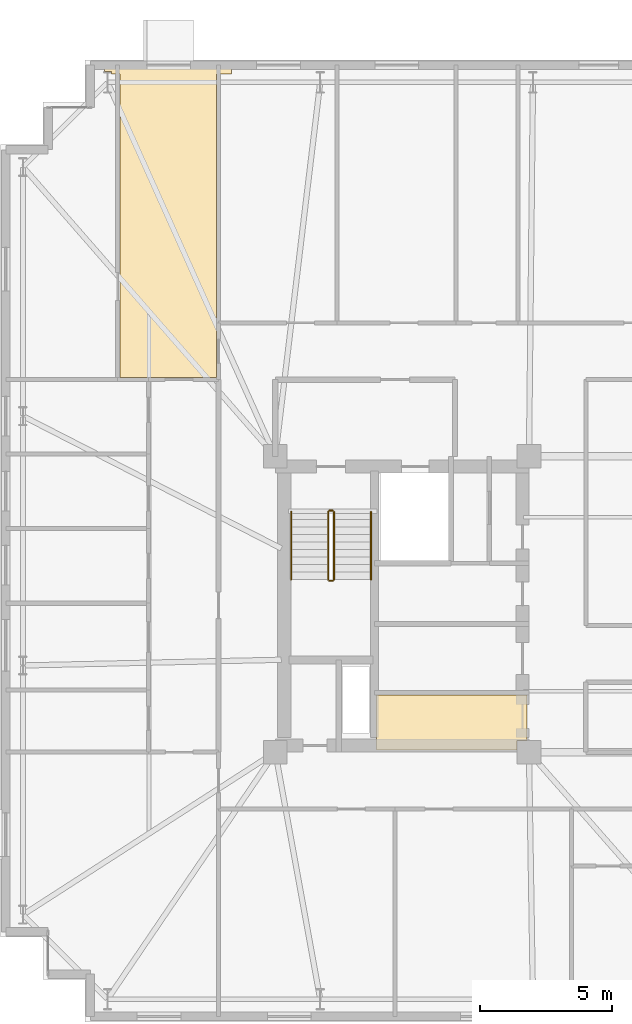
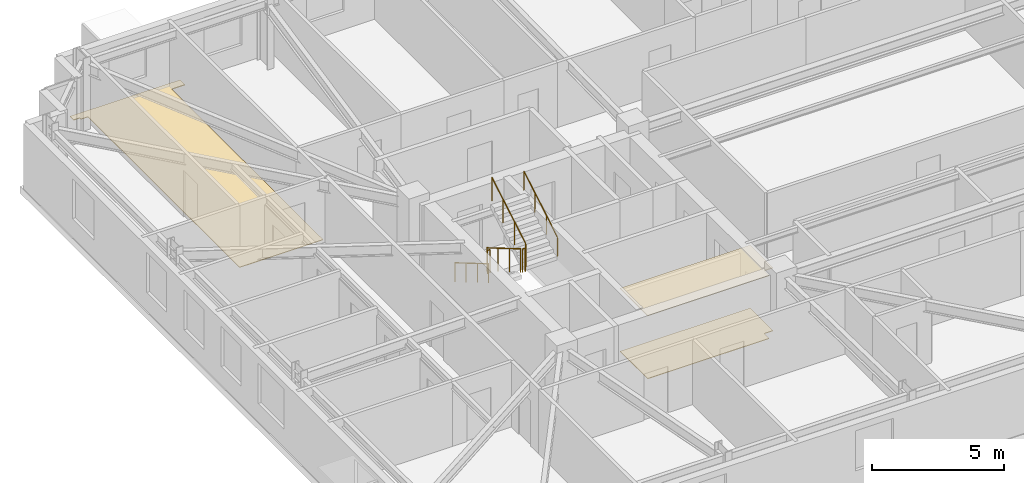
# One storey, part 16 of 17: 6 railings, 3 coverings.
"""IFC4 building model written with IfcOpenShell, lengths in metres."""

from ifc_helpers import new_model, si_unit, direction, frame, origin, origin_2d, place, context, subcontext, project, spatial, polyline, circle, outline, extrude, material, layer, layer_set, type_object, element, save


model = new_model("IFC4")

# Units and contexts
model_context = context("Model", 3, precision=1e-05, world=origin(), true_north=direction((0.0, 1.0)))
body_context = subcontext(model_context, "Body", "Model", "MODEL_VIEW")
ifc_project = project(units=[si_unit("LENGTHUNIT", "METRE"), si_unit("AREAUNIT", "SQUARE_METRE"), si_unit("VOLUMEUNIT", "CUBIC_METRE"), si_unit("PLANEANGLEUNIT", "RADIAN"), si_unit("MASSUNIT", "GRAM", prefix="KILO")], contexts=[model_context])

# Site, building, storey
site_placement = place(None, origin())
site = spatial("IfcSite", under=ifc_project, at=site_placement, CompositionType="ELEMENT")
building_placement = place(site_placement, origin())
building = spatial("IfcBuilding", under=site, at=building_placement, Name="Qobustan Lattice House", CompositionType="ELEMENT")
storey_placement = place(building_placement, frame((0.0, 0.0, 171.199951171875)))
storey = spatial("IfcBuildingStorey", under=building, at=storey_placement, Name="L48", CompositionType="ELEMENT", Elevation=171.199951171875)

# Coverings
ifc_material_1 = material(Name="Perforated gypsum acoustic ceiling", Category="gypsum")
ifc_layer_1 = layer(ifc_material_1, 0.030029296875)
ifc_layer_set_1 = layer_set([ifc_layer_1], Name="Perforated gypsum acoustic ceiling")
covering_type_1 = type_object("IfcCoveringType", Name="COV-ACOUSTIC-CEIL", PredefinedType="CEILING", material=ifc_layer_set_1)
covering_1_placement = place(storey_placement, frame((0.0, 0.0, 2.91015625)))
element("IfcCovering", 1, at=covering_1_placement, inside=storey, type_object=covering_type_1, Name="L48 Collaborative study lounge acoustic ceiling", PredefinedType="CEILING", context=body_context, shape_type="SweptSolid", body=[
    extrude(outline(polyline([(-14.969970703125, -3.429931640625), (-14.969970703125, -5.52001953125), (-9.652099609375, -5.52001953125), (-9.652099609375, -5.14794921875), (-9.280029296875, -5.14794921875), (-9.280029296875, -3.429931640625), (-14.969970703125, -3.429931640625)])), origin(), (0.0, 0.0, 1.0), 0.02978515625),
])
ifc_material_2 = material(Name="Honed Absheron stone terrazzo flooring", Category="masonry")
ifc_layer_2 = layer(ifc_material_2, 0.02490234375)
ifc_layer_set_2 = layer_set([ifc_layer_2], Name="Honed Absheron stone terrazzo flooring")
covering_type_2 = type_object("IfcCoveringType", Name="COV-TERRAZZO-FLR", PredefinedType="FLOORING", material=ifc_layer_set_2)
covering_2_placement = place(storey_placement, origin())
element("IfcCovering", 2, at=covering_2_placement, inside=storey, type_object=covering_type_2, Name="L48 Collaborative study lounge stone terrazzo flooring", PredefinedType="FLOORING", context=body_context, shape_type="SweptSolid", body=[
    extrude(outline(polyline([(-14.969970703125, -3.429931640625), (-14.969970703125, -5.52001953125), (-9.652099609375, -5.52001953125), (-9.652099609375, -5.14794921875), (-9.280029296875, -5.14794921875), (-9.280029296875, -3.429931640625), (-14.969970703125, -3.429931640625)])), origin(), (0.0, 0.0, 1.0), 0.025146484375),
])
covering_3_placement = place(storey_placement, origin())
element("IfcCovering", 3, at=covering_3_placement, inside=storey, type_object=covering_type_2, Name="L48 Reading seminar room L48WN stone terrazzo flooring", PredefinedType="FLOORING", context=body_context, shape_type="SweptSolid", body=[
    extrude(outline(polyline([(-25.264892578125, 20.429931640625), (-25.264892578125, 20.152099609375), (-24.998046875, 20.152099609375), (-24.998046875, 20.06005859375), (-24.68505859375, 20.06005859375), (-24.68505859375, 8.580078125), (-21.030029296875, 8.580078125), (-21.030029296875, 20.06005859375), (-20.449951171875, 20.06005859375), (-20.449951171875, 20.429931640625), (-25.264892578125, 20.429931640625)])), origin(), (0.0, 0.0, 1.0), 0.025146484375),
])

# Railings
ifc_material_3 = material(Name="Brushed stainless steel handrail", Category="steel")
railing_type_1 = type_object("IfcRailingType", Name="RAL-HR-920", PredefinedType="HANDRAIL", material=ifc_material_3)
railing_1_placement = place(storey_placement, frame((-18.199951171875, 3.5, 0.16748046875)))
element("IfcRailing", 4, at=railing_1_placement, inside=storey, type_object=railing_type_1, Name="L48 ST-W1 stair handrail 1", PredefinedType="HANDRAIL", context=body_context, shape_type="SweptSolid", body=[
    extrude(circle(Radius=0.02392578125, at=origin_2d()), frame((0.0, 0.0, 0.8759765625), z_axis=(0.0, -0.862113467892, 0.50671527358), x_axis=(1.0, 0.0, 0.0)), (0.0, 0.0, 1.0), 2.97509765625),
    extrude(circle(Radius=0.02099609375, at=origin_2d()), origin(), (0.0, 0.0, 1.0), 0.851806640625),
    extrude(circle(Radius=0.02099609375, at=origin_2d()), frame((0.0, -0.85498046875, 0.50244140625)), (0.0, 0.0, 1.0), 0.851806640625),
    extrude(circle(Radius=0.02099609375, at=origin_2d()), frame((0.0, -1.7099609375, 1.005126953125)), (0.0, 0.0, 1.0), 0.851806640625),
    extrude(circle(Radius=0.02099609375, at=origin_2d()), frame((0.0, -2.56494140625, 1.507568359375)), (0.0, 0.0, 1.0), 0.851806640625),
])
railing_2_placement = place(storey_placement, frame((-15.179931640625, 0.93505859375, 1.842529296875)))
element("IfcRailing", 5, at=railing_2_placement, inside=storey, type_object=railing_type_1, Name="L48 ST-W1 stair handrail 2", PredefinedType="HANDRAIL", context=body_context, shape_type="SweptSolid", body=[
    extrude(circle(Radius=0.02392578125, at=origin_2d()), frame((0.0, 0.0, 0.8759765625), z_axis=(0.0, 0.862113467892, 0.50671527358), x_axis=(-1.0, 0.0, 0.0)), (0.0, 0.0, 1.0), 2.97509765625),
    extrude(circle(Radius=0.02099609375, at=origin_2d()), origin(), (0.0, 0.0, 1.0), 0.851806640625),
    extrude(circle(Radius=0.02099609375, at=origin_2d()), frame((0.0, 0.85498046875, 0.50244140625)), (0.0, 0.0, 1.0), 0.851806640625),
    extrude(circle(Radius=0.02099609375, at=origin_2d()), frame((0.0, 1.7099609375, 1.005126953125)), (0.0, 0.0, 1.0), 0.851806640625),
    extrude(circle(Radius=0.02099609375, at=origin_2d()), frame((0.0, 2.56494140625, 1.507568359375)), (0.0, 0.0, 1.0), 0.851806640625),
])
ifc_material_4 = material(Name="Painted galvanized steel guardrail", Category="steel")
railing_type_2 = type_object("IfcRailingType", Name="RAL-STG-1150", PredefinedType="GUARDRAIL", material=ifc_material_4)
railing_3_placement = place(storey_placement, frame((-16.800048828125, 3.5, 0.16748046875)))
element("IfcRailing", 6, at=railing_3_placement, inside=storey, type_object=railing_type_2, Name="L48 ST-W1 stair guard 1", PredefinedType="GUARDRAIL", context=body_context, shape_type="SweptSolid", body=[
    extrude(circle(Radius=0.02392578125, at=origin_2d()), frame((0.0, 0.0, 1.076171875), z_axis=(0.0, -0.862113467892, 0.50671527358), x_axis=(1.0, 0.0, 0.0)), (0.0, 0.0, 1.0), 2.97509765625),
    extrude(circle(Radius=0.02099609375, at=origin_2d()), origin(), (0.0, 0.0, 1.0), 1.052001953125),
    extrude(circle(Radius=0.02099609375, at=origin_2d()), frame((0.0, -0.85498046875, 0.50244140625)), (0.0, 0.0, 1.0), 1.052001953125),
    extrude(circle(Radius=0.02099609375, at=origin_2d()), frame((0.0, -1.7099609375, 1.005126953125)), (0.0, 0.0, 1.0), 1.052001953125),
    extrude(circle(Radius=0.02099609375, at=origin_2d()), frame((0.0, -2.56494140625, 1.507568359375)), (0.0, 0.0, 1.0), 1.052001953125),
])
railing_4_placement = place(storey_placement, frame((-16.75, 0.885009765625, 1.675048828125)))
element("IfcRailing", 7, at=railing_4_placement, inside=storey, type_object=railing_type_2, Name="L48 ST-W1 stair guard 2", PredefinedType="GUARDRAIL", context=body_context, shape_type="SweptSolid", body=[
    extrude(circle(Radius=0.02392578125, at=origin_2d()), frame((0.0, 0.0, 1.076171875), z_axis=(1.0, 0.0, 0.0), x_axis=(0.0, 1.0, 0.0)), (0.0, 0.0, 1.0), 0.1201171875),
    extrude(circle(Radius=0.02099609375, at=origin_2d()), origin(), (0.0, 0.0, 1.0), 1.052001953125),
    extrude(circle(Radius=0.02099609375, at=origin_2d()), frame((0.1201171875, 0.0, 0.0)), (0.0, 0.0, 1.0), 1.052001953125),
])
railing_5_placement = place(storey_placement, frame((-16.580078125, 0.93505859375, 1.842529296875)))
element("IfcRailing", 8, at=railing_5_placement, inside=storey, type_object=railing_type_2, Name="L48 ST-W1 stair guard 3", PredefinedType="GUARDRAIL", context=body_context, shape_type="SweptSolid", body=[
    extrude(circle(Radius=0.02392578125, at=origin_2d()), frame((0.0, 0.0, 1.076171875), z_axis=(0.0, 0.862113467892, 0.50671527358), x_axis=(-1.0, 0.0, 0.0)), (0.0, 0.0, 1.0), 2.97509765625),
    extrude(circle(Radius=0.02099609375, at=origin_2d()), origin(), (0.0, 0.0, 1.0), 1.052001953125),
    extrude(circle(Radius=0.02099609375, at=origin_2d()), frame((0.0, 0.85498046875, 0.50244140625)), (0.0, 0.0, 1.0), 1.052001953125),
    extrude(circle(Radius=0.02099609375, at=origin_2d()), frame((0.0, 1.7099609375, 1.005126953125)), (0.0, 0.0, 1.0), 1.052001953125),
    extrude(circle(Radius=0.02099609375, at=origin_2d()), frame((0.0, 2.56494140625, 1.507568359375)), (0.0, 0.0, 1.0), 1.052001953125),
])
railing_6_placement = place(storey_placement, frame((-16.75, 3.550048828125, 0.0)))
element("IfcRailing", 9, at=railing_6_placement, inside=storey, type_object=railing_type_2, Name="L48 ST-W1 stair guard 4", PredefinedType="GUARDRAIL", context=body_context, shape_type="SweptSolid", body=[
    extrude(circle(Radius=0.02392578125, at=origin_2d()), frame((0.0, 0.0, 1.076171875), z_axis=(1.0, 0.0, 0.0), x_axis=(0.0, 1.0, 0.0)), (0.0, 0.0, 1.0), 0.1201171875),
    extrude(circle(Radius=0.02099609375, at=origin_2d()), origin(), (0.0, 0.0, 1.0), 1.052001953125),
    extrude(circle(Radius=0.02099609375, at=origin_2d()), frame((0.1201171875, 0.0, 0.0)), (0.0, 0.0, 1.0), 1.052001953125),
])

save(model, "model.ifc")
